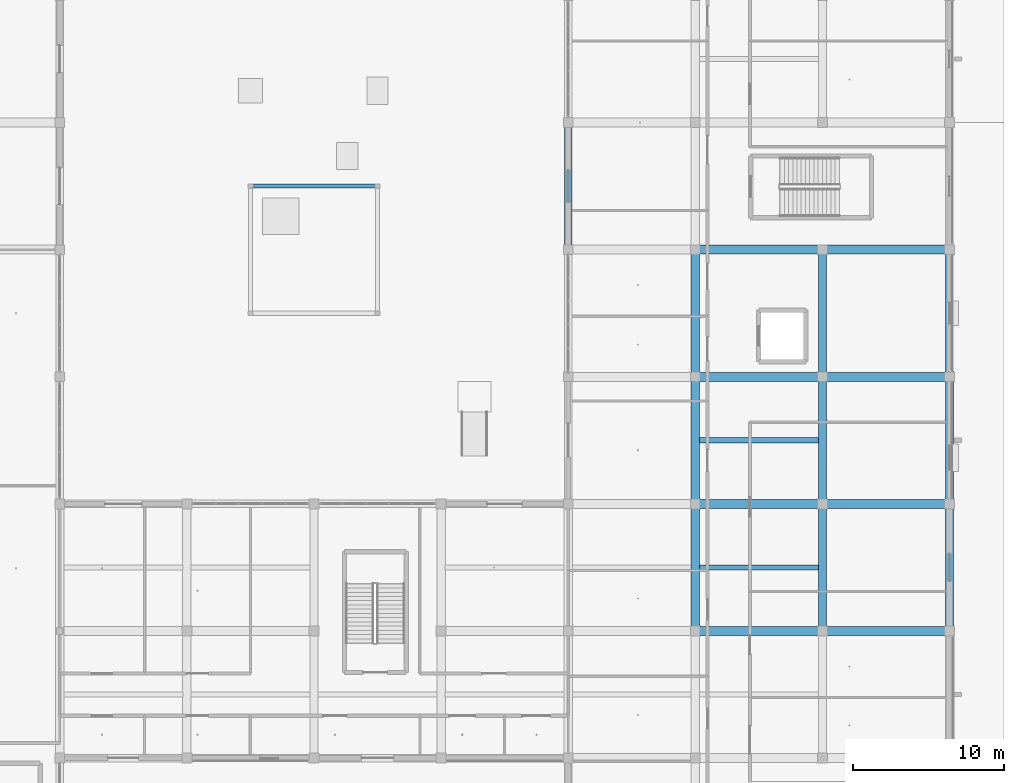
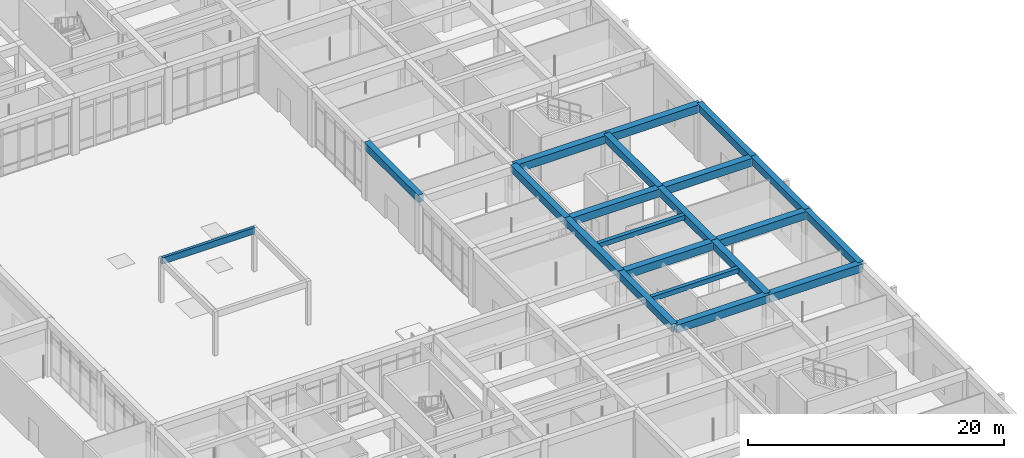
# One storey, part 40 of 167: 21 beams.
"""IFC4 building model written with IfcOpenShell, lengths in metres."""

from ifc_helpers import new_model, si_unit, direction, frame, origin, origin_2d, place, context, subcontext, project, spatial, rectangle, extrude, material, material_profile, profile_set, type_object, element, save


model = new_model("IFC4")

# Units and contexts
model_context = context("Model", 3, precision=1e-05, world=origin(), true_north=direction((0.0, 1.0)))
body_context = subcontext(model_context, "Body", "Model", "MODEL_VIEW")
ifc_project = project(units=[si_unit("LENGTHUNIT", "METRE"), si_unit("AREAUNIT", "SQUARE_METRE"), si_unit("VOLUMEUNIT", "CUBIC_METRE"), si_unit("PLANEANGLEUNIT", "RADIAN"), si_unit("MASSUNIT", "GRAM", prefix="KILO")], contexts=[model_context])

# Site, building, storey
site_placement = place(None, origin())
site = spatial("IfcSite", under=ifc_project, at=site_placement, CompositionType="ELEMENT")
building_placement = place(site_placement, origin())
building = spatial("IfcBuilding", under=site, at=building_placement, Name="Varncliffe General Hospital", CompositionType="ELEMENT")
storey_placement = place(building_placement, origin())
storey = spatial("IfcBuildingStorey", under=building, at=storey_placement, Name="L00", CompositionType="ELEMENT", Elevation=0.0)

# Beams
ifc_material_1 = material(Name="Concrete C35/45 (CSA A23.1 35 MPa)", Category="concrete")
ifc_material_profile_1 = material_profile(ifc_material_1, rectangle(XDim=0.60009765625, YDim=0.75, at=origin_2d()), Name="RC 600x750")
ifc_profile_set_1 = profile_set([ifc_material_profile_1], Name="Concrete C35/45 (CSA A23.1 35 MPa)")
beam_type_1 = type_object("IfcBeamType", Name="Beam B23 (Int RC 600x750)", PredefinedType="BEAM", material=ifc_profile_set_1)
for number, where, z_axis, x_axis, name in (
    (1, (159.60009765625, 32.39990234375, 5.02490234375), (1.0, 0.0, 0.0), (0.0, 1.0, 0.0), "L00 Primary Beam B23-51"),
    (2, (168.0, 32.39990234375, 5.02490234375), (1.0, 0.0, 0.0), (0.0, 1.0, 0.0), "L00 Primary Beam B23-52"),
    (3, (159.60009765625, 40.800048828125, 5.02490234375), (1.0, 0.0, 0.0), (0.0, 1.0, 0.0), "L00 Primary Beam B23-65"),
    (4, (168.0, 40.800048828125, 5.02490234375), (1.0, 0.0, 0.0), (0.0, 1.0, 0.0), "L00 Primary Beam B23-66"),
    (5, (159.60009765625, 49.199951171875, 5.02490234375), (1.0, 0.0, 0.0), (0.0, 1.0, 0.0), "L00 Primary Beam B23-71"),
    (6, (168.0, 49.199951171875, 5.02490234375), (1.0, 0.0, 0.0), (0.0, 1.0, 0.0), "L00 Primary Beam B23-72"),
    (7, (159.60009765625, 57.60009765625, 5.02490234375), (1.0, 0.0, 0.0), (0.0, 1.0, 0.0), "L00 Primary Beam B23-84"),
    (8, (168.0, 57.60009765625, 5.02490234375), (1.0, 0.0, 0.0), (0.0, 1.0, 0.0), "L00 Primary Beam B23-85"),
):
    element("IfcBeam", number, at=place(storey_placement, frame(where, z_axis=z_axis, x_axis=x_axis)), inside=storey, type_object=beam_type_1, Name=name, PredefinedType="BEAM", context=body_context, shape_type="SweptSolid", body=[
        extrude(rectangle(XDim=0.60009765625, YDim=0.75, at=origin_2d()), origin(), (0.0, 0.0, 1.0), 8.39990234375),
    ])
ifc_material_profile_2 = material_profile(ifc_material_1, rectangle(XDim=0.550048828125, YDim=0.699951171875, at=origin_2d()), Name="RC 550x700")
ifc_profile_set_2 = profile_set([ifc_material_profile_2], Name="Concrete C35/45 (CSA A23.1 35 MPa)")
beam_type_2 = type_object("IfcBeamType", Name="Beam B35 (Int RC 550x700)", PredefinedType="BEAM", material=ifc_profile_set_2)
beam_1_placement = place(storey_placement, frame((159.60009765625, 32.39990234375, 5.050048828125), z_axis=(0.0, 1.0, 0.0), x_axis=(-1.0, 0.0, 0.0)))
element("IfcBeam", 9, at=beam_1_placement, inside=storey, type_object=beam_type_2, Name="L00 Primary Beam B35-480", PredefinedType="BEAM", context=body_context, shape_type="SweptSolid", body=[
    extrude(rectangle(XDim=0.550048828125, YDim=0.699951171875, at=origin_2d()), origin(), (0.0, 0.0, 1.0), 8.400146484375),
])
beam_2_placement = place(storey_placement, frame((159.60009765625, 40.800048828125, 5.050048828125), z_axis=(0.0, 1.0, 0.0), x_axis=(-1.0, 0.0, 0.0)))
element("IfcBeam", 10, at=beam_2_placement, inside=storey, type_object=beam_type_2, Name="L00 Primary Beam B35-481", PredefinedType="BEAM", context=body_context, shape_type="SweptSolid", body=[
    extrude(rectangle(XDim=0.550048828125, YDim=0.699951171875, at=origin_2d()), origin(), (0.0, 0.0, 1.0), 8.39990234375),
])
for number, where, z_axis, x_axis, name in (
    (11, (159.60009765625, 49.199951171875, 5.050048828125), (0.0, 1.0, 0.0), (-1.0, 0.0, 0.0), "L00 Primary Beam B35-482"),
    (12, (168.0, 32.39990234375, 5.050048828125), (0.0, 1.0, 0.0), (-1.0, 0.0, 0.0), "L00 Primary Beam B35-496"),
):
    element("IfcBeam", number, at=place(storey_placement, frame(where, z_axis=z_axis, x_axis=x_axis)), inside=storey, type_object=beam_type_2, Name=name, PredefinedType="BEAM", context=body_context, shape_type="SweptSolid", body=[
        extrude(rectangle(XDim=0.550048828125, YDim=0.699951171875, at=origin_2d()), origin(), (0.0, 0.0, 1.0), 8.400146484375),
    ])
beam_3_placement = place(storey_placement, frame((168.0, 40.800048828125, 5.050048828125), z_axis=(0.0, 1.0, 0.0), x_axis=(-1.0, 0.0, 0.0)))
element("IfcBeam", 13, at=beam_3_placement, inside=storey, type_object=beam_type_2, Name="L00 Primary Beam B35-497", PredefinedType="BEAM", context=body_context, shape_type="SweptSolid", body=[
    extrude(rectangle(XDim=0.550048828125, YDim=0.699951171875, at=origin_2d()), origin(), (0.0, 0.0, 1.0), 8.39990234375),
])
beam_4_placement = place(storey_placement, frame((168.0, 49.199951171875, 5.050048828125), z_axis=(0.0, 1.0, 0.0), x_axis=(-1.0, 0.0, 0.0)))
element("IfcBeam", 14, at=beam_4_placement, inside=storey, type_object=beam_type_2, Name="L00 Primary Beam B35-498", PredefinedType="BEAM", context=body_context, shape_type="SweptSolid", body=[
    extrude(rectangle(XDim=0.550048828125, YDim=0.699951171875, at=origin_2d()), origin(), (0.0, 0.0, 1.0), 8.400146484375),
])
ifc_material_2 = material(Name="Glulam GL28h (CSA O86 24f-EX, 30 MPa)", Category="wood")
ifc_material_profile_3 = material_profile(ifc_material_2, rectangle(XDim=0.264892578125, YDim=0.60791015625, at=origin_2d()), Name="GL 265x608")
ifc_profile_set_3 = profile_set([ifc_material_profile_3], Name="Glulam GL28h (CSA O86 24f-EX, 30 MPa)")
beam_type_3 = type_object("IfcBeamType", Name="Beam B82 (Ext GL 265x608)", PredefinedType="BEAM", material=ifc_profile_set_3)
beam_5_placement = place(storey_placement, frame((130.199951171875, 61.800048828125, 3.89599609375), z_axis=(1.0, 0.0, 0.0), x_axis=(0.0, 1.0, 0.0)))
element("IfcBeam", 15, at=beam_5_placement, inside=storey, type_object=beam_type_3, Name="L00 Cloister Pergola Glulam Beam E2", PredefinedType="BEAM", context=body_context, shape_type="SweptSolid", body=[
    extrude(rectangle(XDim=0.264892578125, YDim=0.60791015625, at=origin_2d()), origin(), (0.0, 0.0, 1.0), 8.400146484375),
])
ifc_material_profile_4 = material_profile(ifc_material_1, rectangle(XDim=0.35009765625, YDim=0.449951171875, at=origin_2d()), Name="RC 350x450")
ifc_profile_set_4 = profile_set([ifc_material_profile_4], Name="Concrete C35/45 (CSA A23.1 35 MPa)")
beam_type_4 = type_object("IfcBeamType", Name="Joist J55 (Int RC 350x450)", PredefinedType="JOIST", material=ifc_profile_set_4)
for number, where, z_axis, x_axis, name in (
    (16, (159.873046875, 36.60009765625, 5.175048828125), (1.0, 0.0, 0.0), (0.0, 1.0, 0.0), "L00 Secondary Floor Rib J55-77"),
    (17, (159.873046875, 45.0, 5.175048828125), (1.0, 0.0, 0.0), (0.0, 1.0, 0.0), "L00 Secondary Floor Rib J55-78"),
):
    element("IfcBeam", number, at=place(storey_placement, frame(where, z_axis=z_axis, x_axis=x_axis)), inside=storey, type_object=beam_type_4, Name=name, PredefinedType="JOIST", context=body_context, shape_type="SweptSolid", body=[
        extrude(rectangle(XDim=0.35009765625, YDim=0.449951171875, at=origin_2d()), origin(), (0.0, 0.0, 1.0), 7.85400390625),
    ])
ifc_material_profile_5 = material_profile(ifc_material_1, rectangle(XDim=0.5, YDim=0.699951171875, at=origin_2d()), Name="RC 500x700")
ifc_profile_set_5 = profile_set([ifc_material_profile_5], Name="Concrete C35/45 (CSA A23.1 35 MPa)")
beam_type_5 = type_object("IfcBeamType", Name="Spandrel SP19 (Ext RC 500x700)", PredefinedType="SPANDREL", material=ifc_profile_set_5)
beam_6_placement = place(storey_placement, frame((151.199951171875, 57.60009765625, 5.050048828125), z_axis=(0.0, 1.0, 0.0), x_axis=(-1.0, 0.0, 0.0)))
element("IfcBeam", 18, at=beam_6_placement, inside=storey, type_object=beam_type_5, Name="L00 Spandrel Beam SP19-466", PredefinedType="SPANDREL", context=body_context, shape_type="SweptSolid", body=[
    extrude(rectangle(XDim=0.5, YDim=0.699951171875, at=origin_2d()), origin(), (0.0, 0.0, 1.0), 8.39990234375),
])
beam_7_placement = place(storey_placement, frame((176.39990234375, 32.39990234375, 5.050048828125), z_axis=(0.0, 1.0, 0.0), x_axis=(-1.0, 0.0, 0.0)))
element("IfcBeam", 19, at=beam_7_placement, inside=storey, type_object=beam_type_5, Name="L00 Spandrel Beam SP19-512", PredefinedType="SPANDREL", context=body_context, shape_type="SweptSolid", body=[
    extrude(rectangle(XDim=0.5, YDim=0.699951171875, at=origin_2d()), origin(), (0.0, 0.0, 1.0), 8.400146484375),
])
beam_8_placement = place(storey_placement, frame((176.39990234375, 40.800048828125, 5.050048828125), z_axis=(0.0, 1.0, 0.0), x_axis=(-1.0, 0.0, 0.0)))
element("IfcBeam", 20, at=beam_8_placement, inside=storey, type_object=beam_type_5, Name="L00 Spandrel Beam SP19-513", PredefinedType="SPANDREL", context=body_context, shape_type="SweptSolid", body=[
    extrude(rectangle(XDim=0.5, YDim=0.699951171875, at=origin_2d()), origin(), (0.0, 0.0, 1.0), 8.39990234375),
])
beam_9_placement = place(storey_placement, frame((176.39990234375, 49.199951171875, 5.050048828125), z_axis=(0.0, 1.0, 0.0), x_axis=(-1.0, 0.0, 0.0)))
element("IfcBeam", 21, at=beam_9_placement, inside=storey, type_object=beam_type_5, Name="L00 Spandrel Beam SP19-514", PredefinedType="SPANDREL", context=body_context, shape_type="SweptSolid", body=[
    extrude(rectangle(XDim=0.5, YDim=0.699951171875, at=origin_2d()), origin(), (0.0, 0.0, 1.0), 8.400146484375),
])

save(model, "model.ifc")
